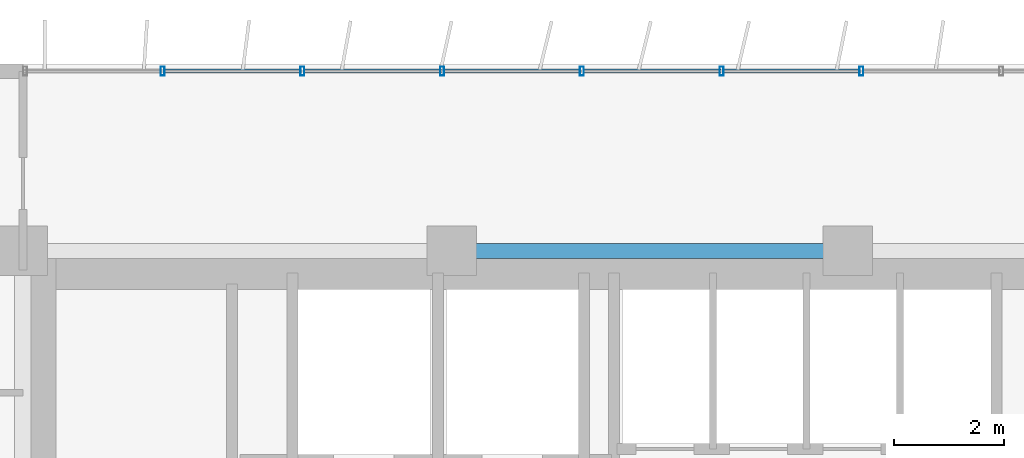
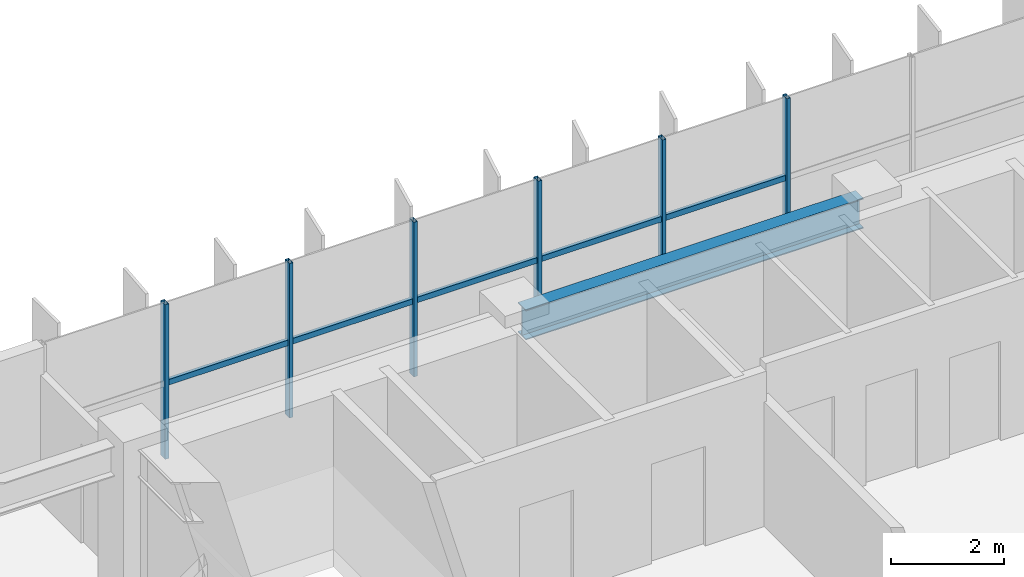
# One storey, part 6 of 26: 11 members, 1 beam, 1 element without a shape of its own.
"""IFC4 building model written with IfcOpenShell, lengths in metres."""

import ifcopenshell
import ifcopenshell.guid

model = None  # the IFC model being written
_history = None  # IfcOwnerHistory: only IFC2X3 demands one
_inside = {}  # id of a spatial element -> (the spatial element, [elements in it])
_under = {}  # id of a project, library or spatial element -> (it, [spatial elements below it])
_declared = {}  # id of a project -> (the project, [libraries it declares])
_typed = {}  # id of a type object -> (the type object, [elements of that type])
_made_of = {}  # id of a material, layer set ... -> (it, [elements and type objects made of it])


def new_model(schema):
    """Start an empty IFC model of exactly this schema.

    Asked for "IFC4X3", IfcOpenShell would pick the latest addendum, in which some entities
    have other attributes; the version numbers below select the first issue.
    IFC2X3 requires an IfcOwnerHistory on every rooted entity: one is made here for all.
    """
    global model, _history
    if schema == "IFC4X3":
        model = ifcopenshell.file(schema_version=(4, 3, 0, 0))
    else:
        model = ifcopenshell.file(schema=schema)
    _inside.clear()
    _under.clear()
    _declared.clear()
    _typed.clear()
    _made_of.clear()
    _history = None
    if model.schema == "IFC2X3":
        org = make("IfcOrganization", Name="unknown")
        user = make(
            "IfcPersonAndOrganization",
            ThePerson=make("IfcPerson", FamilyName="unknown"),
            TheOrganization=org,
        )
        app = make(
            "IfcApplication",
            ApplicationDeveloper=org,
            Version="unknown",
            ApplicationFullName="unknown",
            ApplicationIdentifier="unknown",
        )
        _history = make(
            "IfcOwnerHistory",
            OwningUser=user,
            OwningApplication=app,
            ChangeAction="ADDED",
            CreationDate=0,
        )
    return model


def make(cls, **values):
    """One entity of the class cls with the attributes given. An attribute that is None is left unset."""
    return model.create_entity(
        cls, **{name: value for name, value in values.items() if value is not None}
    )


def rooted(cls, **values):
    """An entity with a GlobalId (a new one), such as an element, a storey or a relation."""
    return make(cls, GlobalId=ifcopenshell.guid.new(), OwnerHistory=_history, **values)


def si_unit(unit_type, name, prefix=None):
    """IfcSIUnit, for example si_unit("LENGTHUNIT", "METRE", prefix="MILLI")."""
    return make("IfcSIUnit", UnitType=unit_type, Prefix=prefix, Name=name)


def assignment(units):
    """IfcUnitAssignment: the units of a project."""
    return None if units is None else make("IfcUnitAssignment", Units=units)


def point(xyz):
    """IfcCartesianPoint."""
    return None if xyz is None else make("IfcCartesianPoint", Coordinates=xyz)


def direction(xyz):
    """IfcDirection."""
    return None if xyz is None else make("IfcDirection", DirectionRatios=xyz)


def frame(location, z_axis=None, x_axis=None):
    """IfcAxis2Placement3D, a coordinate frame: its origin and axes. An axis left out is left unset."""
    return make(
        "IfcAxis2Placement3D",
        Location=point(location),
        Axis=direction(z_axis),
        RefDirection=direction(x_axis),
    )


def frame_2d(location, x_axis=None):
    """IfcAxis2Placement2D, a coordinate frame in the plane: its origin and x axis."""
    return make(
        "IfcAxis2Placement2D", Location=point(location), RefDirection=direction(x_axis)
    )


def origin():
    """The frame at (0, 0, 0) with its axes left unset."""
    return frame((0.0, 0.0, 0.0))


def origin_2d():
    """The frame at (0, 0) in the plane with its x axis left unset."""
    return frame_2d((0.0, 0.0))


def place(relative_to, where):
    """IfcLocalPlacement: puts the frame where relative to a parent placement (None: the world)."""
    return make(
        "IfcLocalPlacement", PlacementRelTo=relative_to, RelativePlacement=where
    )


def context(
    kind, dimensions, precision=None, world=None, true_north=None, identifier=None
):
    """IfcGeometricRepresentationContext, for example the 3D "Model" context."""
    return make(
        "IfcGeometricRepresentationContext",
        ContextIdentifier=identifier,
        ContextType=kind,
        CoordinateSpaceDimension=dimensions,
        Precision=precision,
        WorldCoordinateSystem=world,
        TrueNorth=true_north,
    )


def subcontext(parent, identifier, kind, view, scale=None):
    """IfcGeometricRepresentationSubContext, for example "Body" below "Model"."""
    return make(
        "IfcGeometricRepresentationSubContext",
        ContextIdentifier=identifier,
        ContextType=kind,
        ParentContext=parent,
        TargetScale=scale,
        TargetView=view,
    )


def project(units=None, contexts=None):
    """IfcProject with its units and contexts."""
    return rooted(
        "IfcProject",
        Name="project",
        RepresentationContexts=contexts,
        UnitsInContext=assignment(units),
    )


def spatial(cls, under=None, at=None, **own):
    """A site, building, storey or space (cls), placed at a placement, below another one or the project."""
    s = rooted(cls, ObjectPlacement=at, **own)
    if under is not None:
        _under.setdefault(under.id(), (under, []))[1].append(s)
    return s


def profile(cls, at=None, kind="AREA", **sizes):
    """A parametric profile (cls). Its sizes go by their IFC names, for example OverallWidth=200.0."""
    return make(cls, ProfileType=kind, Position=at, **sizes)


def hollow_rectangle(**sizes):
    """IfcRectangleHollowProfileDef."""
    return profile("IfcRectangleHollowProfileDef", **sizes)


def i_section(**sizes):
    """IfcIShapeProfileDef."""
    return profile("IfcIShapeProfileDef", **sizes)


def extrude(swept, where, along, depth):
    """IfcExtrudedAreaSolid: the profile swept, set in the frame where, extruded along a direction by depth."""
    return make(
        "IfcExtrudedAreaSolid",
        SweptArea=swept,
        Position=where,
        ExtrudedDirection=direction(along),
        Depth=depth,
    )


def shape(context_of_items, identifier, shape_type, items):
    """IfcShapeRepresentation: the items that make up one representation, for example the "Body"."""
    return make(
        "IfcShapeRepresentation",
        ContextOfItems=context_of_items,
        RepresentationIdentifier=identifier,
        RepresentationType=shape_type,
        Items=items,
    )


def source(mapping_origin, context_of_items, identifier, shape_type, items):
    """IfcRepresentationMap: a shape defined once, which mapped items show again and again."""
    return make(
        "IfcRepresentationMap",
        MappingOrigin=mapping_origin,
        MappedRepresentation=shape(context_of_items, identifier, shape_type, items),
    )


def transform(
    local_origin,
    x_axis=None,
    y_axis=None,
    z_axis=None,
    scale=None,
    scale2=None,
    scale3=None,
    uniform=True,
):
    """IfcCartesianTransformationOperator3D, or its non-uniform kind. x_axis, y_axis, z_axis: its Axis1, 2, 3."""
    if uniform:
        return make(
            "IfcCartesianTransformationOperator3D",
            Axis1=direction(x_axis),
            Axis2=direction(y_axis),
            LocalOrigin=point(local_origin),
            Scale=scale,
            Axis3=direction(z_axis),
        )
    return make(
        "IfcCartesianTransformationOperator3DnonUniform",
        Axis1=direction(x_axis),
        Axis2=direction(y_axis),
        LocalOrigin=point(local_origin),
        Scale=scale,
        Axis3=direction(z_axis),
        Scale2=scale2,
        Scale3=scale3,
    )


def mapped(mapping_source, mapping_target):
    """IfcMappedItem: shows the shape of a source again, moved by a transform."""
    return make(
        "IfcMappedItem", MappingSource=mapping_source, MappingTarget=mapping_target
    )


def material(Name=None, Category=None):
    """IfcMaterial."""
    return make("IfcMaterial", Name=Name, Category=Category)


def material_profile(
    of_material, cross_section, Name=None, Category=None, Priority=None
):
    """IfcMaterialProfile: a cross section and its material."""
    return make(
        "IfcMaterialProfile",
        Name=Name,
        Material=of_material,
        Profile=cross_section,
        Priority=Priority,
        Category=Category,
    )


def profile_set(profiles, Name=None, composite=None):
    """IfcMaterialProfileSet."""
    return make(
        "IfcMaterialProfileSet",
        Name=Name,
        MaterialProfiles=profiles,
        CompositeProfile=composite,
    )


def made_of(thing, what):
    """Note that an element or type object is made of a material, layer set ...; save() writes the relation."""
    if what is not None:
        _made_of.setdefault(what.id(), (what, []))[1].append(thing)
    return thing


def type_object(cls, material=None, **own):
    """A type object (cls), such as IfcWallType, which elements share."""
    return made_of(rooted(cls, **own), material)


def element(
    cls,
    number,
    at=None,
    inside=None,
    cuts=None,
    type_object=None,
    material=None,
    context=None,
    identifier="Body",
    shape_type=None,
    held_by="IfcProductDefinitionShape",
    body=None,
    shapes=None,
    **own,
):
    """One element of the class cls, such as IfcWall. Its Tag is "e" and its number.

    at: its placement. inside: the storey or other place that contains it. cuts: it is an
    opening in that element (IfcRelVoidsElement). A single representation is given by context,
    identifier, shape_type and body (its items); several are given by shapes. held_by: the class
    of the entity that holds the representations. save() writes the other relations.
    """
    e = rooted(cls, Tag="e%d" % number, ObjectPlacement=at, **own)
    if body is not None:
        shapes = [shape(context, identifier, shape_type, body)]
    if shapes is not None:
        e.Representation = make(held_by, Representations=shapes)
    if inside is not None:
        _inside.setdefault(inside.id(), (inside, []))[1].append(e)
    if cuts is not None:
        rooted(
            "IfcRelVoidsElement", RelatingBuildingElement=cuts, RelatedOpeningElement=e
        )
    if type_object is not None:
        _typed.setdefault(type_object.id(), (type_object, []))[1].append(e)
    return made_of(e, material)


def aggregate(whole, parts):
    """IfcRelAggregates: a whole, such as a stair, and the parts it consists of."""
    return rooted("IfcRelAggregates", RelatingObject=whole, RelatedObjects=parts)


def save(model, path):
    """Write the relations noted so far, then the file.

    IfcRelAggregates (storeys below a building ...), IfcRelContainedInSpatialStructure (elements
    in a storey), IfcRelDefinesByType, IfcRelAssociatesMaterial and IfcRelDeclares: one each for
    every whole, place, type object, material and project.
    """
    for whole, parts in _under.values():
        aggregate(whole, parts)
    for where, things in _inside.values():
        rooted(
            "IfcRelContainedInSpatialStructure",
            RelatedElements=things,
            RelatingStructure=where,
        )
    for kind, things in _typed.values():
        rooted("IfcRelDefinesByType", RelatedObjects=things, RelatingType=kind)
    for what, things in _made_of.values():
        rooted("IfcRelAssociatesMaterial", RelatedObjects=things, RelatingMaterial=what)
    for by, libraries in _declared.values():
        rooted("IfcRelDeclares", RelatingContext=by, RelatedDefinitions=libraries)
    model.write(path)


model = new_model("IFC4")

# Units and contexts
model_context = context("Model", 3, precision=1e-05, world=origin(), true_north=direction((0.0, 1.0)))
body_context = subcontext(model_context, "Body", "Model", "MODEL_VIEW")
ifc_project = project(units=[si_unit("LENGTHUNIT", "METRE"), si_unit("AREAUNIT", "SQUARE_METRE"), si_unit("VOLUMEUNIT", "CUBIC_METRE"), si_unit("PLANEANGLEUNIT", "RADIAN"), si_unit("MASSUNIT", "GRAM", prefix="KILO")], contexts=[model_context])

# Site, building, storey
site_placement = place(None, origin())
site = spatial("IfcSite", under=ifc_project, at=site_placement, CompositionType="ELEMENT")
building_placement = place(site_placement, origin())
building = spatial("IfcBuilding", under=site, at=building_placement, Name="Trelvane Seafront Commons", CompositionType="ELEMENT")
storey_placement = place(building_placement, frame((0.0, 0.0, 23.5)))
storey = spatial("IfcBuildingStorey", under=building, at=storey_placement, Name="L05", CompositionType="ELEMENT", Elevation=23.5)

# Beam
ifc_material_1 = material(Name="Steel SM355 (S355)", Category="steel")
ifc_material_profile_1 = material_profile(ifc_material_1, i_section(OverallWidth=0.280029296875, OverallDepth=0.64990234375, WebThickness=0.012939453125, FlangeThickness=0.02197265625, at=origin_2d()), Name="H-650x280x13x22")
ifc_profile_set_1 = profile_set([ifc_material_profile_1], Name="Steel SM355 (S355)")
beam_type = type_object("IfcBeamType", Name="STR-BM-H650", PredefinedType="BEAM", material=ifc_profile_set_1)
shared_shape_1 = source(origin(), body_context, "Body", "SweptSolid", [
    extrude(i_section(OverallWidth=0.280029296875, OverallDepth=0.64990234375, WebThickness=0.012939453125, FlangeThickness=0.02197265625, at=origin_2d()), origin(), (0.0, 0.0, 1.0), 6.89990234375),
])
beam_placement = place(storey_placement, frame((23.550048828125, 45.10009765625, 3.014892578125), z_axis=(1.0, 0.0, 0.0), x_axis=(0.0, 1.0, 0.0)))
element("IfcBeam", 1, at=beam_placement, inside=storey, type_object=beam_type, Name="L05 Primary Girder G-31", PredefinedType="BEAM", context=body_context, shape_type="MappedRepresentation", body=[
    mapped(shared_shape_1, transform((0.0, 0.0, 0.0), x_axis=(1.0, 0.0, 0.0), y_axis=(0.0, 1.0, 0.0), z_axis=(0.0, 0.0, 1.0), scale=1.0)),
])

# Curtain wall, members
ifc_material_2 = material(Name="Anodised pale-silver aluminium", Category="aluminium")
curtain_wall_type = type_object("IfcCurtainWallType", Name="ARCH-CW2-LOWTOWER", PredefinedType="NOTDEFINED", material=ifc_material_2)
curtain_wall_placement = place(storey_placement, origin())
curtain_wall = element("IfcCurtainWall", 2, at=curtain_wall_placement, inside=storey, type_object=curtain_wall_type, Name="CW-L05-0029", PredefinedType="NOTDEFINED")
ifc_material_profile_2 = material_profile(ifc_material_2, hollow_rectangle(XDim=0.074951171875, YDim=0.159912109375, WallThickness=0.00390625, at=origin_2d()), Name="MULL-75x160x4")
ifc_profile_set_2 = profile_set([ifc_material_profile_2], Name="Anodised pale-silver aluminium")
member_type_1 = type_object("IfcMemberType", Name="ARCH-CW-MULL-160", PredefinedType="MULLION", material=ifc_profile_set_2)
shared_shape_2 = source(origin(), body_context, "Body", "SweptSolid", [
    extrude(hollow_rectangle(XDim=0.074951171875, YDim=0.159912109375, WallThickness=0.00390625, at=origin_2d()), origin(), (0.0, 0.0, 1.0), 3.340087890625),
])
member_1_placement = place(storey_placement, frame((18.14111328125, 48.3701171875, 0.0), z_axis=(0.0, 0.0, 1.0), x_axis=(1.0, 0.0, 0.0)))
member_1 = element("IfcMember", 3, at=member_1_placement, type_object=member_type_1, Name="CW-L05-0029-M01", PredefinedType="MULLION", context=body_context, shape_type="MappedRepresentation", body=[
    mapped(shared_shape_2, transform((0.0, 0.0, 0.0), x_axis=(1.0, 0.0, 0.0), y_axis=(0.0, 1.0, 0.0), z_axis=(0.0, 0.0, 1.0), scale=1.0)),
])
member_2_placement = place(storey_placement, frame((20.682373046875, 48.3701171875, 0.0), z_axis=(0.0, 0.0, 1.0), x_axis=(1.0, 0.0, 0.0)))
member_2 = element("IfcMember", 4, at=member_2_placement, type_object=member_type_1, Name="CW-L05-0029-M02", PredefinedType="MULLION", context=body_context, shape_type="MappedRepresentation", body=[
    mapped(shared_shape_2, transform((0.0, 0.0, 0.0), x_axis=(1.0, 0.0, 0.0), y_axis=(0.0, 1.0, 0.0), z_axis=(0.0, 0.0, 1.0), scale=1.0)),
])
member_3_placement = place(storey_placement, frame((23.223388671875, 48.3701171875, 0.0), z_axis=(0.0, 0.0, 1.0), x_axis=(1.0, 0.0, 0.0)))
member_3 = element("IfcMember", 5, at=member_3_placement, type_object=member_type_1, Name="CW-L05-0029-M03", PredefinedType="MULLION", context=body_context, shape_type="MappedRepresentation", body=[
    mapped(shared_shape_2, transform((0.0, 0.0, 0.0), x_axis=(1.0, 0.0, 0.0), y_axis=(0.0, 1.0, 0.0), z_axis=(0.0, 0.0, 1.0), scale=1.0)),
])
member_4_placement = place(storey_placement, frame((25.7646484375, 48.3701171875, 0.0), z_axis=(0.0, 0.0, 1.0), x_axis=(1.0, 0.0, 0.0)))
member_4 = element("IfcMember", 6, at=member_4_placement, type_object=member_type_1, Name="CW-L05-0029-M04", PredefinedType="MULLION", context=body_context, shape_type="MappedRepresentation", body=[
    mapped(shared_shape_2, transform((0.0, 0.0, 0.0), x_axis=(1.0, 0.0, 0.0), y_axis=(0.0, 1.0, 0.0), z_axis=(0.0, 0.0, 1.0), scale=1.0)),
])
member_5_placement = place(storey_placement, frame((28.305908203125, 48.3701171875, 0.0), z_axis=(0.0, 0.0, 1.0), x_axis=(1.0, 0.0, 0.0)))
member_5 = element("IfcMember", 7, at=member_5_placement, type_object=member_type_1, Name="CW-L05-0029-M05", PredefinedType="MULLION", context=body_context, shape_type="MappedRepresentation", body=[
    mapped(shared_shape_2, transform((0.0, 0.0, 0.0), x_axis=(1.0, 0.0, 0.0), y_axis=(0.0, 1.0, 0.0), z_axis=(0.0, 0.0, 1.0), scale=1.0)),
])
member_6_placement = place(storey_placement, frame((30.84716796875, 48.3701171875, 0.0), z_axis=(0.0, 0.0, 1.0), x_axis=(1.0, 0.0, 0.0)))
member_6 = element("IfcMember", 8, at=member_6_placement, type_object=member_type_1, Name="CW-L05-0029-M06", PredefinedType="MULLION", context=body_context, shape_type="MappedRepresentation", body=[
    mapped(shared_shape_2, transform((0.0, 0.0, 0.0), x_axis=(1.0, 0.0, 0.0), y_axis=(0.0, 1.0, 0.0), z_axis=(0.0, 0.0, 1.0), scale=1.0)),
])
ifc_material_profile_3 = material_profile(ifc_material_2, hollow_rectangle(XDim=0.070068359375, YDim=0.1201171875, WallThickness=0.00390625, at=origin_2d()), Name="TRAN-70x120x4")
ifc_profile_set_3 = profile_set([ifc_material_profile_3], Name="Anodised pale-silver aluminium")
member_type_2 = type_object("IfcMemberType", Name="ARCH-CW-TRAN-120", PredefinedType="USERDEFINED", material=ifc_profile_set_3)
shared_shape_3 = source(origin(), body_context, "Body", "SweptSolid", [
    extrude(hollow_rectangle(XDim=0.070068359375, YDim=0.1201171875, WallThickness=0.00390625, at=origin_2d()), origin(), (0.0, 0.0, 1.0), 2.51708984375),
])
member_7_placement = place(storey_placement, frame((18.1533203125, 48.3701171875, 1.60302734375), z_axis=(1.0, 0.0, 0.0), x_axis=(0.0, 1.0, 0.0)))
member_7 = element("IfcMember", 9, at=member_7_placement, type_object=member_type_2, Name="CW-L05-0029-T01", ObjectType="TRANSOM", PredefinedType="USERDEFINED", context=body_context, shape_type="MappedRepresentation", body=[
    mapped(shared_shape_3, transform((0.0, 0.0, 0.0), x_axis=(1.0, 0.0, 0.0), y_axis=(0.0, 1.0, 0.0), z_axis=(0.0, 0.0, 1.0), scale=1.0)),
])
member_8_placement = place(storey_placement, frame((20.6943359375, 48.3701171875, 1.60302734375), z_axis=(1.0, 0.0, 0.0), x_axis=(0.0, 1.0, 0.0)))
member_8 = element("IfcMember", 10, at=member_8_placement, type_object=member_type_2, Name="CW-L05-0029-T02", ObjectType="TRANSOM", PredefinedType="USERDEFINED", context=body_context, shape_type="MappedRepresentation", body=[
    mapped(shared_shape_3, transform((0.0, 0.0, 0.0), x_axis=(1.0, 0.0, 0.0), y_axis=(0.0, 1.0, 0.0), z_axis=(0.0, 0.0, 1.0), scale=1.0)),
])
member_9_placement = place(storey_placement, frame((23.235595703125, 48.3701171875, 1.60302734375), z_axis=(1.0, 0.0, 0.0), x_axis=(0.0, 1.0, 0.0)))
member_9 = element("IfcMember", 11, at=member_9_placement, type_object=member_type_2, Name="CW-L05-0029-T03", ObjectType="TRANSOM", PredefinedType="USERDEFINED", context=body_context, shape_type="MappedRepresentation", body=[
    mapped(shared_shape_3, transform((0.0, 0.0, 0.0), x_axis=(1.0, 0.0, 0.0), y_axis=(0.0, 1.0, 0.0), z_axis=(0.0, 0.0, 1.0), scale=1.0)),
])
shared_shape_4 = source(origin(), body_context, "Body", "SweptSolid", [
    extrude(hollow_rectangle(XDim=0.070068359375, YDim=0.1201171875, WallThickness=0.00390625, at=origin_2d()), origin(), (0.0, 0.0, 1.0), 2.517333984375),
])
member_10_placement = place(storey_placement, frame((25.776611328125, 48.3701171875, 1.60302734375), z_axis=(1.0, 0.0, 0.0), x_axis=(0.0, 1.0, 0.0)))
member_10 = element("IfcMember", 12, at=member_10_placement, type_object=member_type_2, Name="CW-L05-0029-T04", ObjectType="TRANSOM", PredefinedType="USERDEFINED", context=body_context, shape_type="MappedRepresentation", body=[
    mapped(shared_shape_4, transform((0.0, 0.0, 0.0), x_axis=(1.0, 0.0, 0.0), y_axis=(0.0, 1.0, 0.0), z_axis=(0.0, 0.0, 1.0), scale=1.0)),
])
member_11_placement = place(storey_placement, frame((28.31787109375, 48.3701171875, 1.60302734375), z_axis=(1.0, 0.0, 0.0), x_axis=(0.0, 1.0, 0.0)))
member_11 = element("IfcMember", 13, at=member_11_placement, type_object=member_type_2, Name="CW-L05-0029-T05", ObjectType="TRANSOM", PredefinedType="USERDEFINED", context=body_context, shape_type="MappedRepresentation", body=[
    mapped(shared_shape_4, transform((0.0, 0.0, 0.0), x_axis=(1.0, 0.0, 0.0), y_axis=(0.0, 1.0, 0.0), z_axis=(0.0, 0.0, 1.0), scale=1.0)),
])
aggregate(curtain_wall, [member_1, member_2, member_3, member_4, member_5, member_6, member_7, member_8, member_9, member_10, member_11])

save(model, "model.ifc")
